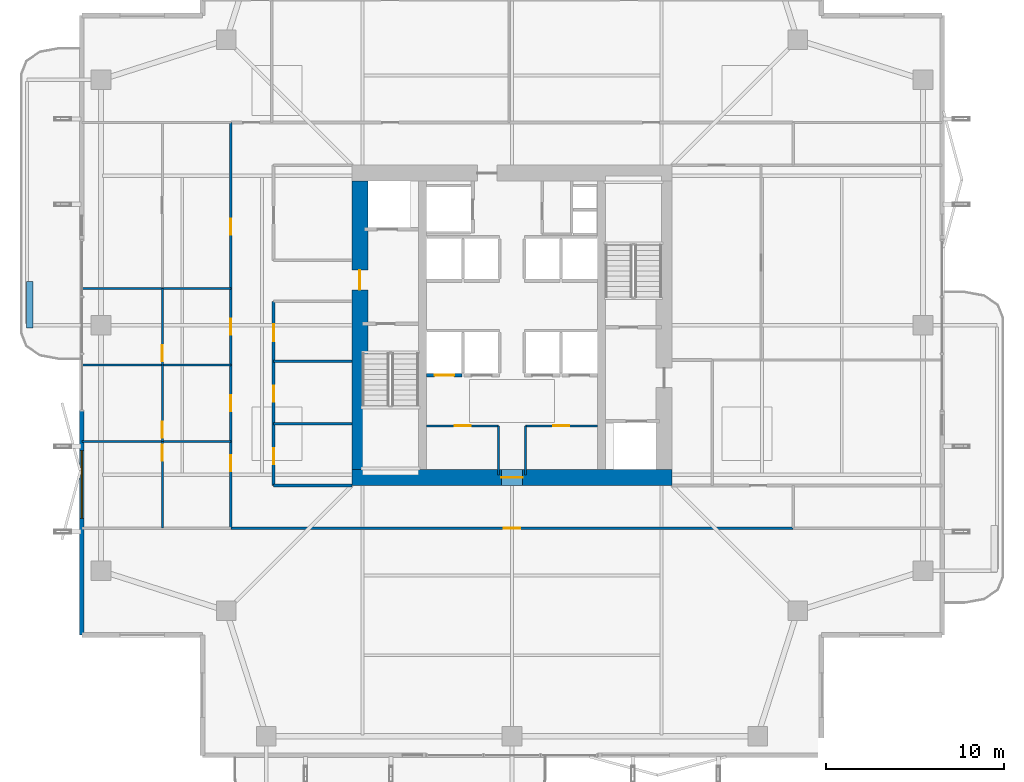
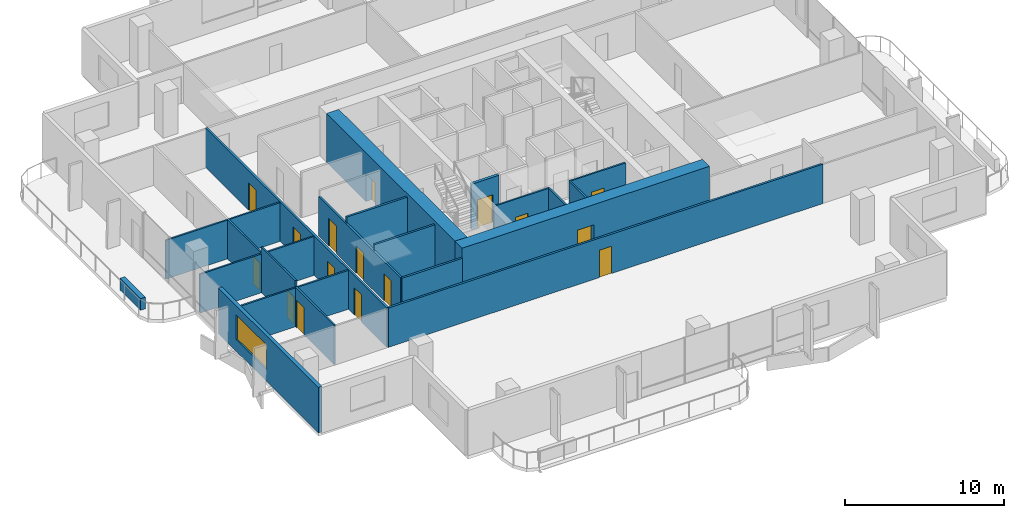
# One storey, part 19 of 25: 21 walls, 16 doors, 1 window, 17 openings.
"""IFC4 building model written with IfcOpenShell, lengths in metres."""

from ifc_helpers import new_model, si_unit, direction, frame, frame_2d, origin, place, context, subcontext, project, spatial, rectangle, extrude, material, layer, layer_set, type_object, element, fill, save


model = new_model("IFC4")

# Units and contexts
model_context = context("Model", 3, precision=1e-05, world=origin(), true_north=direction((0.0, 1.0)))
body_context = subcontext(model_context, "Body", "Model", "MODEL_VIEW")
ifc_project = project(units=[si_unit("LENGTHUNIT", "METRE"), si_unit("AREAUNIT", "SQUARE_METRE"), si_unit("VOLUMEUNIT", "CUBIC_METRE"), si_unit("PLANEANGLEUNIT", "RADIAN"), si_unit("MASSUNIT", "GRAM", prefix="KILO")], contexts=[model_context])

# Site, building, storey
site_placement = place(None, origin())
site = spatial("IfcSite", under=ifc_project, at=site_placement, CompositionType="ELEMENT")
building_placement = place(site_placement, origin())
building = spatial("IfcBuilding", under=site, at=building_placement, Name="Belovzor Exchange Tower", CompositionType="ELEMENT")
storey_placement = place(building_placement, frame((0.0, 0.0, 172.050048828125)))
storey = spatial("IfcBuildingStorey", under=building, at=storey_placement, Name="L42", CompositionType="ELEMENT", Elevation=172.050048828125)

# Wall, opening, door
ifc_material_1 = material(Name="Acoustic Plasterboard on Galvanised Studs", Category="gypsum")
ifc_layer_1 = layer(ifc_material_1, 0.1201171875)
ifc_layer_set_1 = layer_set([ifc_layer_1], Name="Acoustic Plasterboard on Galvanised Studs")
wall_type_1 = type_object("IfcWallType", Name="Acoustic Double-Stud Partition Wall 120", PredefinedType="PARTITIONING", material=ifc_layer_set_1)
wall_1_placement = place(storey_placement, frame((9.14990234375, 17.39990234375, 0.0), z_axis=(0.0, 0.0, 1.0), x_axis=(0.0, 1.0, 0.0)))
wall_1 = element("IfcWall", 1, at=wall_1_placement, inside=storey, type_object=wall_type_1, Name="W-P120 Partition Wall W-L42-WHDIV-0", PredefinedType="PARTITIONING", context=body_context, shape_type="SweptSolid", body=[
    extrude(rectangle(XDim=4.882080078125, YDim=0.1201171875, at=frame_2d((2.44091796875, 0.0))), origin(), (0.0, 0.0, 1.0), 3.030029296875),
])
opening_1_placement = place(wall_1_placement, frame((3.781982421875, 0.0, 0.0)))
opening_1 = element("IfcOpeningElement", 2, at=opening_1_placement, cuts=wall_1, Name="Opening D-INT-090", PredefinedType="OPENING", context=body_context, shape_type="SweptSolid", body=[
    extrude(rectangle(XDim=0.89990234375, YDim=2.10009765625, at=frame_2d((0.449951171875, 1.050048828125))), frame((0.0, 0.070068359375, 0.0), z_axis=(0.0, -1.0, 0.0), x_axis=(1.0, 0.0, 0.0)), (0.0, 0.0, 1.0), 0.14013671875),
])
ifc_material_2 = material(Name="Veneered Hardwood Acoustic Leaf", Category="wood")
door_type_1 = type_object("IfcDoorType", Name="Trading Suite Acoustic Single Door 900x2100", OperationType="NOTDEFINED", PredefinedType="DOOR", material=ifc_material_2)
door_1_placement = place(opening_1_placement, origin())
door_1 = element("IfcDoor", 3, at=door_1_placement, inside=storey, type_object=door_type_1, Name="D-INT-090 Trading Suite Acoustic Single Door 900x2100", OperationType="SINGLE_SWING_LEFT", OverallHeight=2.10009765625, OverallWidth=0.89990234375, PredefinedType="DOOR", context=body_context, shape_type="SweptSolid", body=[
    extrude(rectangle(XDim=0.89990234375, YDim=2.10009765625, at=frame_2d((0.449951171875, 1.050048828125))), frame((0.0, 0.02490234375, 0.0), z_axis=(0.0, -1.0, 0.0), x_axis=(1.0, 0.0, 0.0)), (0.0, 0.0, 1.0), 0.050048828125),
])
fill(opening_1, door_1)

# Wall
wall_2_placement = place(storey_placement, frame((4.6298828125, 22.281982421875, 0.0), z_axis=(0.0, 0.0, 1.0), x_axis=(1.0, 0.0, 0.0)))
element("IfcWall", 4, at=wall_2_placement, inside=storey, type_object=wall_type_1, Name="W-P120 Partition Wall W-L42-WDIV-1", PredefinedType="PARTITIONING", context=body_context, shape_type="SweptSolid", body=[
    extrude(rectangle(XDim=8.3701171875, YDim=0.1201171875, at=frame_2d((4.18505859375, 0.0))), origin(), (0.0, 0.0, 1.0), 2.97998046875),
])

# Wall, opening, door
wall_3_placement = place(storey_placement, frame((9.14990234375, 22.281982421875, 0.0), z_axis=(0.0, 0.0, 1.0), x_axis=(0.0, 1.0, 0.0)))
wall_3 = element("IfcWall", 5, at=wall_3_placement, inside=storey, type_object=wall_type_1, Name="W-P120 Partition Wall W-L42-WHDIV-1", PredefinedType="PARTITIONING", context=body_context, shape_type="SweptSolid", body=[
    extrude(rectangle(XDim=4.298095703125, YDim=0.1201171875, at=frame_2d((2.14892578125, 0.0))), origin(), (0.0, 0.0, 1.0), 3.494873046875),
])
opening_2_placement = place(wall_3_placement, frame((0.199951171875, 0.0, 0.0)))
opening_2 = element("IfcOpeningElement", 6, at=opening_2_placement, cuts=wall_3, Name="Opening D-INT-090", PredefinedType="OPENING", context=body_context, shape_type="SweptSolid", body=[
    extrude(rectangle(XDim=0.89990234375, YDim=2.10009765625, at=frame_2d((0.449951171875, 1.050048828125))), frame((0.0, 0.070068359375, 0.0), z_axis=(0.0, -1.0, 0.0), x_axis=(1.0, 0.0, 0.0)), (0.0, 0.0, 1.0), 0.14013671875),
])
door_2_placement = place(opening_2_placement, origin())
door_2 = element("IfcDoor", 7, at=door_2_placement, inside=storey, type_object=door_type_1, Name="D-INT-090 Trading Suite Acoustic Single Door 900x2100", OperationType="SINGLE_SWING_LEFT", OverallHeight=2.10009765625, OverallWidth=0.89990234375, PredefinedType="DOOR", context=body_context, shape_type="SweptSolid", body=[
    extrude(rectangle(XDim=0.89990234375, YDim=2.10009765625, at=frame_2d((0.449951171875, 1.050048828125))), frame((0.0, 0.02490234375, 0.0), z_axis=(0.0, -1.0, 0.0), x_axis=(1.0, 0.0, 0.0)), (0.0, 0.0, 1.0), 0.050048828125),
])
fill(opening_2, door_2)

# Wall
wall_4_placement = place(storey_placement, frame((4.6298828125, 26.580078125, 0.0), z_axis=(0.0, 0.0, 1.0), x_axis=(1.0, 0.0, 0.0)))
element("IfcWall", 8, at=wall_4_placement, inside=storey, type_object=wall_type_1, Name="W-P120 Partition Wall W-L42-WDIV-2", PredefinedType="PARTITIONING", context=body_context, shape_type="SweptSolid", body=[
    extrude(rectangle(XDim=8.3701171875, YDim=0.1201171875, at=frame_2d((4.18505859375, 0.0))), origin(), (0.0, 0.0, 1.0), 2.97998046875),
])

# Wall, opening, door
wall_5_placement = place(storey_placement, frame((9.14990234375, 26.580078125, 0.0), z_axis=(0.0, 0.0, 1.0), x_axis=(0.0, 1.0, 0.0)))
wall_5 = element("IfcWall", 9, at=wall_5_placement, inside=storey, type_object=wall_type_1, Name="W-P120 Partition Wall W-L42-WHDIV-2", PredefinedType="PARTITIONING", context=body_context, shape_type="SweptSolid", body=[
    extrude(rectangle(XDim=4.296875, YDim=0.1201171875, at=frame_2d((2.1484375, 0.0))), origin(), (0.0, 0.0, 1.0), 3.030029296875),
])
opening_3_placement = place(wall_5_placement, frame((0.199951171875, 0.0, 0.0)))
opening_3 = element("IfcOpeningElement", 10, at=opening_3_placement, cuts=wall_5, Name="Opening D-INT-090", PredefinedType="OPENING", context=body_context, shape_type="SweptSolid", body=[
    extrude(rectangle(XDim=0.89990234375, YDim=2.10009765625, at=frame_2d((0.449951171875, 1.050048828125))), frame((0.0, 0.070068359375, 0.0), z_axis=(0.0, -1.0, 0.0), x_axis=(1.0, 0.0, 0.0)), (0.0, 0.0, 1.0), 0.14013671875),
])
door_3_placement = place(opening_3_placement, origin())
door_3 = element("IfcDoor", 11, at=door_3_placement, inside=storey, type_object=door_type_1, Name="D-INT-090 Trading Suite Acoustic Single Door 900x2100", OperationType="SINGLE_SWING_LEFT", OverallHeight=2.10009765625, OverallWidth=0.89990234375, PredefinedType="DOOR", context=body_context, shape_type="SweptSolid", body=[
    extrude(rectangle(XDim=0.89990234375, YDim=2.10009765625, at=frame_2d((0.449951171875, 1.050048828125))), frame((0.0, 0.02490234375, 0.0), z_axis=(0.0, -1.0, 0.0), x_axis=(1.0, 0.0, 0.0)), (0.0, 0.0, 1.0), 0.050048828125),
])
fill(opening_3, door_3)

# Wall
wall_6_placement = place(storey_placement, frame((4.6298828125, 30.876953125, 0.0), z_axis=(0.0, 0.0, 1.0), x_axis=(1.0, 0.0, 0.0)))
element("IfcWall", 12, at=wall_6_placement, inside=storey, type_object=wall_type_1, Name="W-P120 Partition Wall W-L42-WDIV-3", PredefinedType="PARTITIONING", context=body_context, shape_type="SweptSolid", body=[
    extrude(rectangle(XDim=8.3701171875, YDim=0.1201171875, at=frame_2d((4.18505859375, 0.0))), origin(), (0.0, 0.0, 1.0), 2.97998046875),
])

# Wall, opening, door
ifc_material_3 = material(Name="Fire-Rated Plasterboard on Galvanised Studs", Category="gypsum")
ifc_layer_2 = layer(ifc_material_3, 0.1201171875)
ifc_layer_set_2 = layer_set([ifc_layer_2], Name="Fire-Rated Plasterboard on Galvanised Studs")
wall_type_2 = type_object("IfcWallType", Name="Fire-Rated Double-Stud Partition Wall 120", PredefinedType="PARTITIONING", material=ifc_layer_set_2)
wall_7_placement = place(storey_placement, frame((24.0, 23.14990234375, 0.0), z_axis=(0.0, 0.0, 1.0), x_axis=(1.0, 0.0, 0.0)))
wall_7 = element("IfcWall", 13, at=wall_7_placement, inside=storey, type_object=wall_type_2, Name="W-P120F Partition Wall W-CRL-L42-WN", PredefinedType="PARTITIONING", context=body_context, shape_type="SweptSolid", body=[
    extrude(rectangle(XDim=4.050048828125, YDim=0.1201171875, at=frame_2d((2.02490234375, 0.0))), origin(), (0.0, 0.0, 1.0), 3.494873046875),
])
opening_4_placement = place(wall_7_placement, frame((1.574951171875, 0.0, 0.0)))
opening_4 = element("IfcOpeningElement", 14, at=opening_4_placement, cuts=wall_7, Name="Opening D-FD60-090", PredefinedType="OPENING", context=body_context, shape_type="SweptSolid", body=[
    extrude(rectangle(XDim=0.89990234375, YDim=2.10009765625, at=frame_2d((0.449951171875, 1.050048828125))), frame((0.0, 0.070068359375, 0.0), z_axis=(0.0, -1.0, 0.0), x_axis=(1.0, 0.0, 0.0)), (0.0, 0.0, 1.0), 0.14013671875),
])
ifc_material_4 = material(Name="Acoustic Timber Fire Leaf", Category="wood")
door_type_2 = type_object("IfcDoorType", Name="Core Service & Restroom Fire Door 900x2100", OperationType="NOTDEFINED", PredefinedType="DOOR", material=ifc_material_4)
door_4_placement = place(opening_4_placement, origin())
door_4 = element("IfcDoor", 15, at=door_4_placement, inside=storey, type_object=door_type_2, Name="D-FD60-090 Core Service & Restroom Fire Door 900x2100", OperationType="SINGLE_SWING_LEFT", OverallHeight=2.10009765625, OverallWidth=0.89990234375, PredefinedType="DOOR", context=body_context, shape_type="SweptSolid", body=[
    extrude(rectangle(XDim=0.89990234375, YDim=2.10009765625, at=frame_2d((0.449951171875, 1.050048828125))), frame((0.0, 0.02490234375, 0.0), z_axis=(0.0, -1.0, 0.0), x_axis=(1.0, 0.0, 0.0)), (0.0, 0.0, 1.0), 0.050048828125),
])
fill(opening_4, door_4)

# Wall
wall_8_placement = place(storey_placement, frame((28.050048828125, 20.39990234375, 0.0), z_axis=(0.0, 0.0, 1.0), x_axis=(0.0, 1.0, 0.0)))
element("IfcWall", 16, at=wall_8_placement, inside=storey, type_object=wall_type_2, Name="W-P120F Partition Wall W-CRL-L42-WE", PredefinedType="PARTITIONING", context=body_context, shape_type="SweptSolid", body=[
    extrude(rectangle(XDim=2.75, YDim=0.1201171875, at=frame_2d((1.375, 0.0))), origin(), (0.0, 0.0, 1.0), 3.494873046875),
])

# Wall, opening, door
wall_9_placement = place(storey_placement, frame((29.550048828125, 23.14990234375, 0.0), z_axis=(0.0, 0.0, 1.0), x_axis=(1.0, 0.0, 0.0)))
wall_9 = element("IfcWall", 17, at=wall_9_placement, inside=storey, type_object=wall_type_2, Name="W-P120F Partition Wall W-CRL-L42-EN", PredefinedType="PARTITIONING", context=body_context, shape_type="SweptSolid", body=[
    extrude(rectangle(XDim=4.050048828125, YDim=0.1201171875, at=frame_2d((2.02490234375, 0.0))), origin(), (0.0, 0.0, 1.0), 3.494873046875),
])
opening_5_placement = place(wall_9_placement, frame((1.574951171875, 0.0, 0.0)))
opening_5 = element("IfcOpeningElement", 18, at=opening_5_placement, cuts=wall_9, Name="Opening D-FD60-090", PredefinedType="OPENING", context=body_context, shape_type="SweptSolid", body=[
    extrude(rectangle(XDim=0.89990234375, YDim=2.10009765625, at=frame_2d((0.449951171875, 1.050048828125))), frame((0.0, 0.070068359375, 0.0), z_axis=(0.0, -1.0, 0.0), x_axis=(1.0, 0.0, 0.0)), (0.0, 0.0, 1.0), 0.14013671875),
])
door_5_placement = place(opening_5_placement, origin())
door_5 = element("IfcDoor", 19, at=door_5_placement, inside=storey, type_object=door_type_2, Name="D-FD60-090 Core Service & Restroom Fire Door 900x2100", OperationType="SINGLE_SWING_RIGHT", OverallHeight=2.10009765625, OverallWidth=0.89990234375, PredefinedType="DOOR", context=body_context, shape_type="SweptSolid", body=[
    extrude(rectangle(XDim=0.89990234375, YDim=2.10009765625, at=frame_2d((0.449951171875, 1.050048828125))), frame((0.0, 0.02490234375, 0.0), z_axis=(0.0, -1.0, 0.0), x_axis=(1.0, 0.0, 0.0)), (0.0, 0.0, 1.0), 0.050048828125),
])
fill(opening_5, door_5)

# Walls
wall_10_placement = place(storey_placement, frame((29.550048828125, 20.39990234375, 0.0), z_axis=(0.0, 0.0, 1.0), x_axis=(0.0, 1.0, 0.0)))
element("IfcWall", 20, at=wall_10_placement, inside=storey, type_object=wall_type_2, Name="W-P120F Partition Wall W-CRL-L42-EW", PredefinedType="PARTITIONING", context=body_context, shape_type="SweptSolid", body=[
    extrude(rectangle(XDim=2.75, YDim=0.1201171875, at=frame_2d((1.375, 0.0))), origin(), (0.0, 0.0, 1.0), 3.494873046875),
])
ifc_material_5 = material(Name="Fire-Rated Gypsum Block and Mineral Wool", Category="gypsum")
ifc_layer_3 = layer(ifc_material_5, 0.14990234375)
ifc_layer_set_3 = layer_set([ifc_layer_3], Name="Fire-Rated Gypsum Block and Mineral Wool")
wall_type_3 = type_object("IfcWallType", Name="Fire-Rated Gypsum Block Corridor Wall 150", PredefinedType="PARTITIONING", material=ifc_layer_set_3)
wall_11_placement = place(storey_placement, frame((15.39990234375, 19.800048828125, 0.0), z_axis=(0.0, 0.0, 1.0), x_axis=(1.0, 0.0, 0.0)))
element("IfcWall", 21, at=wall_11_placement, inside=storey, type_object=wall_type_3, Name="W-P150 Partition Wall W-L42-WIC-S", PredefinedType="PARTITIONING", context=body_context, shape_type="SweptSolid", body=[
    extrude(rectangle(XDim=4.400146484375, YDim=0.14990234375, at=frame_2d((2.2001953125, 0.0))), origin(), (0.0, 0.0, 1.0), 3.030029296875),
])
for number, where, z_axis, x_axis, name in (
    (22, (15.39990234375, 23.27490234375, 0.0), (0.0, 0.0, 1.0), (1.0, 0.0, 0.0), "W-P150 Partition Wall W-L42-WIC-D1"),
    (23, (15.39990234375, 26.77490234375, 0.0), (0.0, 0.0, 1.0), (1.0, 0.0, 0.0), "W-P150 Partition Wall W-L42-WIC-D2"),
):
    element("IfcWall", number, at=place(storey_placement, frame(where, z_axis=z_axis, x_axis=x_axis)), inside=storey, type_object=wall_type_3, Name=name, PredefinedType="PARTITIONING", context=body_context, shape_type="SweptSolid", body=[
        extrude(rectangle(XDim=4.400146484375, YDim=0.14990234375, at=frame_2d((2.2001953125, 0.0))), origin(), (0.0, 0.0, 1.0), 3.494873046875),
    ])

# Wall, openings, doors
wall_12_placement = place(storey_placement, frame((15.39990234375, 19.800048828125, 0.0), z_axis=(0.0, 0.0, 1.0), x_axis=(0.0, 1.0, 0.0)))
wall_12 = element("IfcWall", 24, at=wall_12_placement, inside=storey, type_object=wall_type_3, Name="W-P150 Partition Wall W-L42-WIE-S", PredefinedType="PARTITIONING", context=body_context, shape_type="SweptSolid", body=[
    extrude(rectangle(XDim=10.349853515625, YDim=0.14990234375, at=frame_2d((5.1748046875, 0.0))), origin(), (0.0, 0.0, 1.0), 3.030029296875),
])
opening_6_placement = place(wall_12_placement, frame((1.199951171875, 0.0, 0.0)))
opening_6 = element("IfcOpeningElement", 25, at=opening_6_placement, cuts=wall_12, Name="Opening D-FD60-090", PredefinedType="OPENING", context=body_context, shape_type="SweptSolid", body=[
    extrude(rectangle(XDim=0.89990234375, YDim=2.10009765625, at=frame_2d((0.449951171875, 1.050048828125))), frame((0.0, 0.0849609375, 0.0), z_axis=(0.0, -1.0, 0.0), x_axis=(1.0, 0.0, 0.0)), (0.0, 0.0, 1.0), 0.169921875),
])
opening_7_placement = place(wall_12_placement, frame((4.699951171875, 0.0, 0.0)))
opening_7 = element("IfcOpeningElement", 26, at=opening_7_placement, cuts=wall_12, Name="Opening D-FD60-090", PredefinedType="OPENING", context=body_context, shape_type="SweptSolid", body=[
    extrude(rectangle(XDim=0.89990234375, YDim=2.10009765625, at=frame_2d((0.449951171875, 1.050048828125))), frame((0.0, 0.0849609375, 0.0), z_axis=(0.0, -1.0, 0.0), x_axis=(1.0, 0.0, 0.0)), (0.0, 0.0, 1.0), 0.169921875),
])
opening_8_placement = place(wall_12_placement, frame((8.10009765625, 0.0, 0.0)))
opening_8 = element("IfcOpeningElement", 27, at=opening_8_placement, cuts=wall_12, Name="Opening D-FD60-095", PredefinedType="OPENING", context=body_context, shape_type="SweptSolid", body=[
    extrude(rectangle(XDim=0.949951171875, YDim=2.10009765625, at=frame_2d((0.47509765625, 1.050048828125))), frame((0.0, 0.0849609375, 0.0), z_axis=(0.0, -1.0, 0.0), x_axis=(1.0, 0.0, 0.0)), (0.0, 0.0, 1.0), 0.169921875),
])
ifc_material_6 = material(Name="Moisture-Resistant Timber Fire Leaf", Category="wood")
door_type_3 = type_object("IfcDoorType", Name="Accessible Restroom Wide Fire Door 950x2100", OperationType="NOTDEFINED", PredefinedType="DOOR", material=ifc_material_6)
door_6_placement = place(opening_8_placement, origin())
door_6 = element("IfcDoor", 28, at=door_6_placement, inside=storey, type_object=door_type_3, Name="D-FD60-095 Accessible Restroom Wide Fire Door 950x2100", OperationType="SINGLE_SWING_LEFT", OverallHeight=2.10009765625, OverallWidth=0.949951171875, PredefinedType="DOOR", context=body_context, shape_type="SweptSolid", body=[
    extrude(rectangle(XDim=0.949951171875, YDim=2.10009765625, at=frame_2d((0.47509765625, 1.050048828125))), frame((0.0, 0.02490234375, 0.0), z_axis=(0.0, -1.0, 0.0), x_axis=(1.0, 0.0, 0.0)), (0.0, 0.0, 1.0), 0.050048828125),
])
fill(opening_8, door_6)
door_7_placement = place(opening_6_placement, origin())
door_7 = element("IfcDoor", 29, at=door_7_placement, inside=storey, type_object=door_type_2, Name="D-FD60-090 Core Service & Restroom Fire Door 900x2100", OperationType="SINGLE_SWING_LEFT", OverallHeight=2.10009765625, OverallWidth=0.89990234375, PredefinedType="DOOR", context=body_context, shape_type="SweptSolid", body=[
    extrude(rectangle(XDim=0.89990234375, YDim=2.10009765625, at=frame_2d((0.449951171875, 1.050048828125))), frame((0.0, 0.02490234375, 0.0), z_axis=(0.0, -1.0, 0.0), x_axis=(1.0, 0.0, 0.0)), (0.0, 0.0, 1.0), 0.050048828125),
])
fill(opening_6, door_7)
door_8_placement = place(opening_7_placement, origin())
door_8 = element("IfcDoor", 30, at=door_8_placement, inside=storey, type_object=door_type_2, Name="D-FD60-090 Core Service & Restroom Fire Door 900x2100", OperationType="SINGLE_SWING_RIGHT", OverallHeight=2.10009765625, OverallWidth=0.89990234375, PredefinedType="DOOR", context=body_context, shape_type="SweptSolid", body=[
    extrude(rectangle(XDim=0.89990234375, YDim=2.10009765625, at=frame_2d((0.449951171875, 1.050048828125))), frame((0.0, 0.02490234375, 0.0), z_axis=(0.0, -1.0, 0.0), x_axis=(1.0, 0.0, 0.0)), (0.0, 0.0, 1.0), 0.050048828125),
])
fill(opening_7, door_8)

# Wall, opening, door
wall_13_placement = place(storey_placement, frame((13.0, 17.39990234375, 0.0), z_axis=(0.0, 0.0, 1.0), x_axis=(1.0, 0.0, 0.0)))
wall_13 = element("IfcWall", 31, at=wall_13_placement, inside=storey, type_object=wall_type_3, Name="W-P150 Partition Wall W-L42-CS", PredefinedType="PARTITIONING", context=body_context, shape_type="SweptSolid", body=[
    extrude(rectangle(XDim=31.60009765625, YDim=0.14990234375, at=frame_2d((15.800048828125, 0.0))), origin(), (0.0, 0.0, 1.0), 3.030029296875),
])
opening_9_placement = place(wall_13_placement, frame((15.35009765625, 0.0, 0.0)))
opening_9 = element("IfcOpeningElement", 32, at=opening_9_placement, cuts=wall_13, Name="Opening D-INT-090", PredefinedType="OPENING", context=body_context, shape_type="SweptSolid", body=[
    extrude(rectangle(XDim=0.89990234375, YDim=2.10009765625, at=frame_2d((0.449951171875, 1.050048828125))), frame((0.0, 0.0849609375, 0.0), z_axis=(0.0, -1.0, 0.0), x_axis=(1.0, 0.0, 0.0)), (0.0, 0.0, 1.0), 0.169921875),
])
door_9_placement = place(opening_9_placement, origin())
door_9 = element("IfcDoor", 33, at=door_9_placement, inside=storey, type_object=door_type_1, Name="D-INT-090 Trading Suite Acoustic Single Door 900x2100", OperationType="SINGLE_SWING_LEFT", OverallHeight=2.10009765625, OverallWidth=0.89990234375, PredefinedType="DOOR", context=body_context, shape_type="SweptSolid", body=[
    extrude(rectangle(XDim=0.89990234375, YDim=2.10009765625, at=frame_2d((0.449951171875, 1.050048828125))), frame((0.0, 0.02490234375, 0.0), z_axis=(0.0, -1.0, 0.0), x_axis=(1.0, 0.0, 0.0)), (0.0, 0.0, 1.0), 0.050048828125),
])
fill(opening_9, door_9)

# Wall, openings, doors
wall_14_placement = place(storey_placement, frame((13.0, 17.39990234375, 0.0), z_axis=(0.0, 0.0, 1.0), x_axis=(0.0, 1.0, 0.0)))
wall_14 = element("IfcWall", 34, at=wall_14_placement, inside=storey, type_object=wall_type_3, Name="W-P150 Partition Wall W-L42-CWO", PredefinedType="PARTITIONING", context=body_context, shape_type="SweptSolid", body=[
    extrude(rectangle(XDim=22.800048828125, YDim=0.14990234375, at=frame_2d((11.39990234375, 0.0))), origin(), (0.0, 0.0, 1.0), 3.030029296875),
])
opening_10_placement = place(wall_14_placement, frame((3.19091796875, 0.0, 0.0)))
opening_10 = element("IfcOpeningElement", 35, at=opening_10_placement, cuts=wall_14, Name="Opening D-INT-090", PredefinedType="OPENING", context=body_context, shape_type="SweptSolid", body=[
    extrude(rectangle(XDim=0.89990234375, YDim=2.10009765625, at=frame_2d((0.449951171875, 1.050048828125))), frame((0.0, 0.0849609375, 0.0), z_axis=(0.0, -1.0, 0.0), x_axis=(1.0, 0.0, 0.0)), (0.0, 0.0, 1.0), 0.169921875),
])
opening_11_placement = place(wall_14_placement, frame((6.5810546875, 0.0, 0.0)))
opening_11 = element("IfcOpeningElement", 36, at=opening_11_placement, cuts=wall_14, Name="Opening D-INT-090", PredefinedType="OPENING", context=body_context, shape_type="SweptSolid", body=[
    extrude(rectangle(XDim=0.89990234375, YDim=2.10009765625, at=frame_2d((0.449951171875, 1.050048828125))), frame((0.0, 0.0849609375, 0.0), z_axis=(0.0, -1.0, 0.0), x_axis=(1.0, 0.0, 0.0)), (0.0, 0.0, 1.0), 0.169921875),
])
opening_12_placement = place(wall_14_placement, frame((10.8779296875, 0.0, 0.0)))
opening_12 = element("IfcOpeningElement", 37, at=opening_12_placement, cuts=wall_14, Name="Opening D-INT-090", PredefinedType="OPENING", context=body_context, shape_type="SweptSolid", body=[
    extrude(rectangle(XDim=0.89990234375, YDim=2.10009765625, at=frame_2d((0.449951171875, 1.050048828125))), frame((0.0, 0.0849609375, 0.0), z_axis=(0.0, -1.0, 0.0), x_axis=(1.0, 0.0, 0.0)), (0.0, 0.0, 1.0), 0.169921875),
])
opening_13_placement = place(wall_14_placement, frame((16.488037109375, 0.0, 0.0)))
opening_13 = element("IfcOpeningElement", 38, at=opening_13_placement, cuts=wall_14, Name="Opening D-INT-090", PredefinedType="OPENING", context=body_context, shape_type="SweptSolid", body=[
    extrude(rectangle(XDim=0.89990234375, YDim=2.10009765625, at=frame_2d((0.449951171875, 1.050048828125))), frame((0.0, 0.0849609375, 0.0), z_axis=(0.0, -1.0, 0.0), x_axis=(1.0, 0.0, 0.0)), (0.0, 0.0, 1.0), 0.169921875),
])
door_10_placement = place(opening_10_placement, origin())
door_10 = element("IfcDoor", 39, at=door_10_placement, inside=storey, type_object=door_type_1, Name="D-INT-090 Trading Suite Acoustic Single Door 900x2100", OperationType="SINGLE_SWING_LEFT", OverallHeight=2.10009765625, OverallWidth=0.89990234375, PredefinedType="DOOR", context=body_context, shape_type="SweptSolid", body=[
    extrude(rectangle(XDim=0.89990234375, YDim=2.10009765625, at=frame_2d((0.449951171875, 1.050048828125))), frame((0.0, 0.02490234375, 0.0), z_axis=(0.0, -1.0, 0.0), x_axis=(1.0, 0.0, 0.0)), (0.0, 0.0, 1.0), 0.050048828125),
])
fill(opening_10, door_10)
door_11_placement = place(opening_11_placement, origin())
door_11 = element("IfcDoor", 40, at=door_11_placement, inside=storey, type_object=door_type_1, Name="D-INT-090 Trading Suite Acoustic Single Door 900x2100", OperationType="SINGLE_SWING_LEFT", OverallHeight=2.10009765625, OverallWidth=0.89990234375, PredefinedType="DOOR", context=body_context, shape_type="SweptSolid", body=[
    extrude(rectangle(XDim=0.89990234375, YDim=2.10009765625, at=frame_2d((0.449951171875, 1.050048828125))), frame((0.0, 0.02490234375, 0.0), z_axis=(0.0, -1.0, 0.0), x_axis=(1.0, 0.0, 0.0)), (0.0, 0.0, 1.0), 0.050048828125),
])
fill(opening_11, door_11)
door_12_placement = place(opening_12_placement, origin())
door_12 = element("IfcDoor", 41, at=door_12_placement, inside=storey, type_object=door_type_1, Name="D-INT-090 Trading Suite Acoustic Single Door 900x2100", OperationType="SINGLE_SWING_LEFT", OverallHeight=2.10009765625, OverallWidth=0.89990234375, PredefinedType="DOOR", context=body_context, shape_type="SweptSolid", body=[
    extrude(rectangle(XDim=0.89990234375, YDim=2.10009765625, at=frame_2d((0.449951171875, 1.050048828125))), frame((0.0, 0.02490234375, 0.0), z_axis=(0.0, -1.0, 0.0), x_axis=(1.0, 0.0, 0.0)), (0.0, 0.0, 1.0), 0.050048828125),
])
fill(opening_12, door_12)
door_13_placement = place(opening_13_placement, origin())
door_13 = element("IfcDoor", 42, at=door_13_placement, inside=storey, type_object=door_type_1, Name="D-INT-090 Trading Suite Acoustic Single Door 900x2100", OperationType="SINGLE_SWING_LEFT", OverallHeight=2.10009765625, OverallWidth=0.89990234375, PredefinedType="DOOR", context=body_context, shape_type="SweptSolid", body=[
    extrude(rectangle(XDim=0.89990234375, YDim=2.10009765625, at=frame_2d((0.449951171875, 1.050048828125))), frame((0.0, 0.02490234375, 0.0), z_axis=(0.0, -1.0, 0.0), x_axis=(1.0, 0.0, 0.0)), (0.0, 0.0, 1.0), 0.050048828125),
])
fill(opening_13, door_13)

# Wall, opening, window
ifc_material_7 = material(Name="Precast concrete C40/50", Category="concrete")
ifc_layer_4 = layer(ifc_material_7, 0.260009765625)
ifc_layer_set_4 = layer_set([ifc_layer_4], Name="Precast concrete C40/50")
wall_type_4 = type_object("IfcWallType", Name="Precast Concrete Perimeter Loggia Frame Wall 260", PredefinedType="SOLIDWALL", material=ifc_layer_set_4)
wall_15_placement = place(storey_placement, frame((4.6298828125, 11.39990234375, 0.0), z_axis=(0.0, 0.0, 1.0), x_axis=(0.0, 1.0, 0.0)))
wall_15 = element("IfcWall", 43, at=wall_15_placement, inside=storey, type_object=wall_type_4, Name="W-EXT260 Precast Concrete Perimeter Loggia Frame Wall 260 L42", PredefinedType="SOLIDWALL", context=body_context, shape_type="SweptSolid", body=[
    extrude(rectangle(XDim=12.60009765625, YDim=0.260009765625, at=frame_2d((6.300048828125, 0.0))), origin(), (0.0, 0.0, 1.0), 3.494873046875),
])
opening_14_placement = place(wall_15_placement, frame((6.554931640625, 0.0, 0.89990234375)))
opening_14 = element("IfcOpeningElement", 44, at=opening_14_placement, cuts=wall_15, Name="Opening WN-RIB380", PredefinedType="OPENING", context=body_context, shape_type="SweptSolid", body=[
    extrude(rectangle(XDim=3.800048828125, YDim=1.89990234375, at=frame_2d((1.89990234375, 0.949951171875))), frame((0.0, 0.139892578125, 0.0), z_axis=(0.0, -1.0, 0.0), x_axis=(1.0, 0.0, 0.0)), (0.0, 0.0, 1.0), 0.280029296875),
])
ifc_material_8 = material(Name="Thermally Broken Aluminium and Triple Glazing", Category="aluminium")
window_type = type_object("IfcWindowType", Name="Streamline Moderne Horizontal Ribbon Window 3800x1900", PartitioningType="SINGLE_PANEL", PredefinedType="WINDOW", material=ifc_material_8)
window_placement = place(opening_14_placement, origin())
window = element("IfcWindow", 45, at=window_placement, inside=storey, type_object=window_type, Name="WN-RIB380 Streamline Moderne Horizontal Ribbon Window 3800x1900", OverallHeight=1.89990234375, OverallWidth=3.800048828125, PartitioningType="SINGLE_PANEL", PredefinedType="WINDOW", context=body_context, shape_type="SweptSolid", body=[
    extrude(rectangle(XDim=3.800048828125, YDim=1.89990234375, at=frame_2d((1.89990234375, 0.949951171875))), frame((0.0, 0.030029296875, 0.0), z_axis=(0.0, -1.0, 0.0), x_axis=(1.0, 0.0, 0.0)), (0.0, 0.0, 1.0), 0.06005859375),
])
fill(opening_14, window)

# Wall
ifc_material_9 = material(Name="Precast concrete C40/50", Category="concrete")
ifc_layer_5 = layer(ifc_material_9, 0.35009765625)
ifc_layer_set_5 = layer_set([ifc_layer_5], Name="Precast concrete C40/50")
wall_type_5 = type_object("IfcWallType", Name="Precast Concrete Structural Tree Planter Trough 350", PredefinedType="PARAPET", material=ifc_layer_set_5)
wall_16_placement = place(storey_placement, frame((1.699951171875, 28.64990234375, 0.0), z_axis=(0.0, 0.0, 1.0), x_axis=(0.0, 1.0, 0.0)))
element("IfcWall", 46, at=wall_16_placement, inside=storey, type_object=wall_type_5, Name="PT-350 Precast Concrete Structural Tree Planter Trough 350 L42", PredefinedType="PARAPET", context=body_context, shape_type="SweptSolid", body=[
    extrude(rectangle(XDim=2.60009765625, YDim=0.35009765625, at=frame_2d((1.300048828125, 0.0))), origin(), (0.0, 0.0, 1.0), 0.89990234375),
])

# Wall, opening, door
ifc_material_10 = material(Name="Concrete C50/60", Category="concrete")
ifc_layer_6 = layer(ifc_material_10, 0.199951171875)
ifc_layer_set_6 = layer_set([ifc_layer_6], Name="Concrete C50/60")
wall_type_6 = type_object("IfcWallType", Name="Reinforced Concrete Core Shaft Shear Wall 200", PredefinedType="SHEAR", material=ifc_layer_set_6)
wall_17_placement = place(storey_placement, frame((24.0, 26.0, 0.0), z_axis=(0.0, 0.0, 1.0), x_axis=(1.0, 0.0, 0.0)))
wall_17 = element("IfcWall", 47, at=wall_17_placement, inside=storey, type_object=wall_type_6, Name="W-C200S Core Shaft Wall W-SH-L42-PL-M1", PredefinedType="SHEAR", context=body_context, shape_type="SweptSolid", body=[
    extrude(rectangle(XDim=2.0, YDim=0.199951171875, at=frame_2d((1.0, 0.0))), origin(), (0.0, 0.0, 1.0), 3.494873046875),
])
opening_15_placement = place(wall_17_placement, frame((0.449951171875, 0.0, 0.0)))
opening_15 = element("IfcOpeningElement", 48, at=opening_15_placement, cuts=wall_17, Name="Opening LD-110", PredefinedType="OPENING", context=body_context, shape_type="SweptSolid", body=[
    extrude(rectangle(XDim=1.10009765625, YDim=2.14990234375, at=frame_2d((0.550048828125, 1.074951171875))), frame((0.0, 0.10986328125, 0.0), z_axis=(0.0, -1.0, 0.0), x_axis=(1.0, 0.0, 0.0)), (0.0, 0.0, 1.0), 0.219970703125),
])
ifc_material_11 = material(Name="Stainless Steel Grade 304", Category="steel")
door_type_4 = type_object("IfcDoorType", Name="Automated Stainless Steel Lift Landing Door 1100x2150", OperationType="SLIDING_TO_RIGHT", PredefinedType="DOOR", material=ifc_material_11)
door_14_placement = place(opening_15_placement, origin())
door_14 = element("IfcDoor", 49, at=door_14_placement, inside=storey, type_object=door_type_4, Name="LD-110 Automated Stainless Steel Lift Landing Door 1100x2150", OperationType="SLIDING_TO_RIGHT", OverallHeight=2.14990234375, OverallWidth=1.10009765625, PredefinedType="DOOR", context=body_context, shape_type="SweptSolid", body=[
    extrude(rectangle(XDim=1.10009765625, YDim=2.14990234375, at=frame_2d((0.550048828125, 1.074951171875))), frame((0.0, 0.02490234375, 0.0), z_axis=(0.0, -1.0, 0.0), x_axis=(1.0, 0.0, 0.0)), (0.0, 0.0, 1.0), 0.050048828125),
])
fill(opening_15, door_14)

ifc_material_12 = material(Name="Concrete C60/75", Category="concrete")
ifc_layer_7 = layer(ifc_material_12, 0.89990234375)
ifc_layer_set_7 = layer_set([ifc_layer_7], Name="Concrete C60/75")
wall_type_7 = type_object("IfcWallType", Name="Reinforced Concrete Core Shear Wall 900", PredefinedType="SHEAR", material=ifc_layer_set_7)
wall_18_placement = place(storey_placement, frame((19.800048828125, 20.25, 0.0), z_axis=(0.0, 0.0, 1.0), x_axis=(1.0, 0.0, 0.0)))
wall_18 = element("IfcWall", 50, at=wall_18_placement, inside=storey, type_object=wall_type_7, Name="CW-S090 Core Shear Wall L42 S", PredefinedType="SHEAR", context=body_context, shape_type="SweptSolid", body=[
    extrude(rectangle(XDim=18.0, YDim=0.89990234375, at=frame_2d((9.0, 0.0))), origin(), (0.0, 0.0, 1.0), 3.75),
])
opening_16_placement = place(wall_18_placement, frame((8.39990234375, 0.0, 0.0)))
opening_16 = element("IfcOpeningElement", 51, at=opening_16_placement, cuts=wall_18, Name="Opening D-FD90-120", PredefinedType="OPENING", context=body_context, shape_type="SweptSolid", body=[
    extrude(rectangle(XDim=1.199951171875, YDim=2.199951171875, at=frame_2d((0.60009765625, 1.10009765625))), frame((0.0, 0.4599609375, 0.0), z_axis=(0.0, -1.0, 0.0), x_axis=(1.0, 0.0, 0.0)), (0.0, 0.0, 1.0), 0.919921875),
])
ifc_material_13 = material(Name="Fire-Rated Galvanised Steel Leaf", Category="steel")
door_type_5 = type_object("IfcDoorType", Name="Heavy Plant & Foyer Fire Door 1200x2200", OperationType="NOTDEFINED", PredefinedType="DOOR", material=ifc_material_13)
door_15_placement = place(opening_16_placement, origin())
door_15 = element("IfcDoor", 52, at=door_15_placement, inside=storey, type_object=door_type_5, Name="D-FD90-120 Heavy Plant & Foyer Fire Door 1200x2200", OperationType="SINGLE_SWING_LEFT", OverallHeight=2.199951171875, OverallWidth=1.199951171875, PredefinedType="DOOR", context=body_context, shape_type="SweptSolid", body=[
    extrude(rectangle(XDim=1.199951171875, YDim=2.199951171875, at=frame_2d((0.60009765625, 1.10009765625))), frame((0.0, 0.02490234375, 0.0), z_axis=(0.0, -1.0, 0.0), x_axis=(1.0, 0.0, 0.0)), (0.0, 0.0, 1.0), 0.050048828125),
])
fill(opening_16, door_15)

wall_19_placement = place(storey_placement, frame((20.25, 20.699951171875, 0.0), z_axis=(0.0, 0.0, 1.0), x_axis=(0.0, 1.0, 0.0)))
wall_19 = element("IfcWall", 53, at=wall_19_placement, inside=storey, type_object=wall_type_7, Name="CW-S090 Core Shear Wall L42 W", PredefinedType="SHEAR", context=body_context, shape_type="SweptSolid", body=[
    extrude(rectangle(XDim=16.199951171875, YDim=0.89990234375, at=frame_2d((8.10009765625, 0.0))), origin(), (0.0, 0.0, 1.0), 3.75),
])
opening_17_placement = place(wall_19_placement, frame((10.10009765625, 0.0, 0.0)))
opening_17 = element("IfcOpeningElement", 54, at=opening_17_placement, cuts=wall_19, Name="Opening D-FD90-110", PredefinedType="OPENING", context=body_context, shape_type="SweptSolid", body=[
    extrude(rectangle(XDim=1.10009765625, YDim=2.14990234375, at=frame_2d((0.550048828125, 1.074951171875))), frame((0.0, 0.4599609375, 0.0), z_axis=(0.0, -1.0, 0.0), x_axis=(1.0, 0.0, 0.0)), (0.0, 0.0, 1.0), 0.919921875),
])
ifc_material_14 = material(Name="Fire-Rated Galvanised Steel Leaf", Category="steel")
door_type_6 = type_object("IfcDoorType", Name="Protected Escape Vestibule Fire Door 1100x2150", OperationType="NOTDEFINED", PredefinedType="DOOR", material=ifc_material_14)
door_16_placement = place(opening_17_placement, origin())
door_16 = element("IfcDoor", 55, at=door_16_placement, inside=storey, type_object=door_type_6, Name="D-FD90-110 Protected Escape Vestibule Fire Door 1100x2150", OperationType="SINGLE_SWING_LEFT", OverallHeight=2.14990234375, OverallWidth=1.10009765625, PredefinedType="DOOR", context=body_context, shape_type="SweptSolid", body=[
    extrude(rectangle(XDim=1.10009765625, YDim=2.14990234375, at=frame_2d((0.550048828125, 1.074951171875))), frame((0.0, 0.02490234375, 0.0), z_axis=(0.0, -1.0, 0.0), x_axis=(1.0, 0.0, 0.0)), (0.0, 0.0, 1.0), 0.050048828125),
])
fill(opening_17, door_16)

save(model, "model.ifc")
